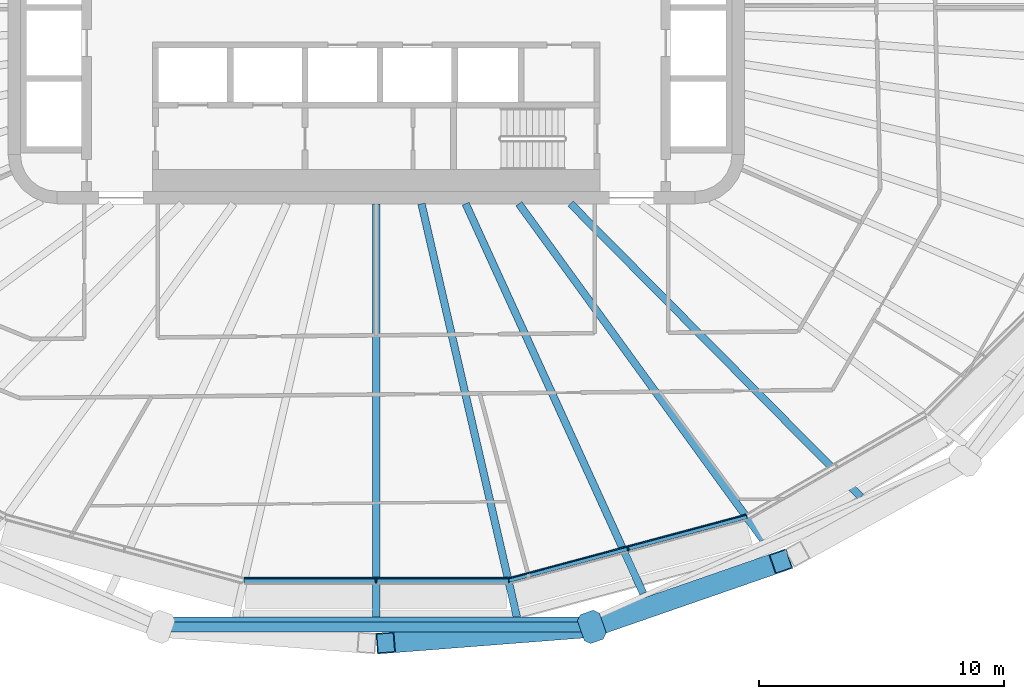
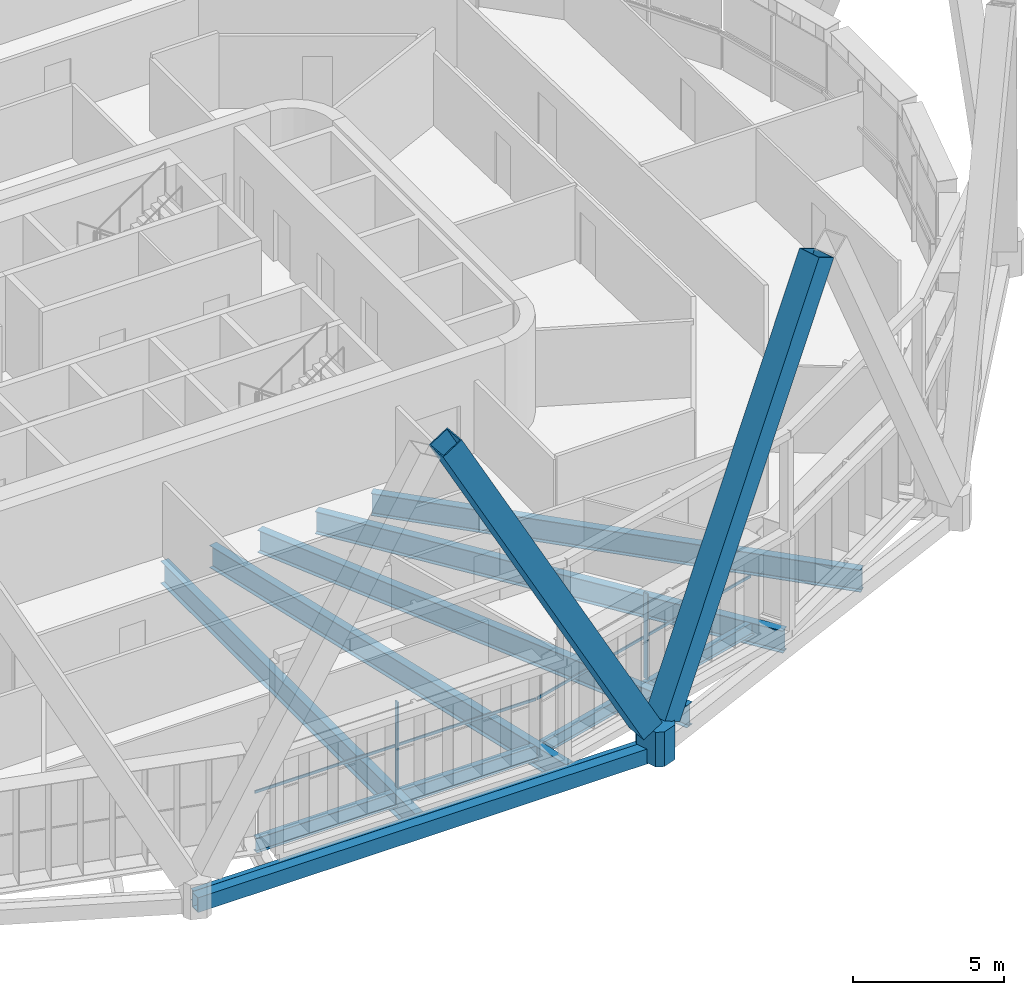
# One storey, part 4 of 25: 9 beams, 7 members, 2 elements without a shape of their own.
"""IFC4 building model written with IfcOpenShell, lengths in metres."""

from ifc_helpers import new_model, si_unit, direction, frame, origin, origin_2d, place, context, subcontext, project, spatial, polyline, rectangle, hollow_rectangle, i_section, outline, extrude, material, layer, layer_set, material_profile, profile_set, type_object, element, aggregate, save


model = new_model("IFC4")

# Units and contexts
model_context = context("Model", 3, precision=1e-05, world=origin(), true_north=direction((0.0, 1.0)))
body_context = subcontext(model_context, "Body", "Model", "MODEL_VIEW")
ifc_project = project(units=[si_unit("LENGTHUNIT", "METRE"), si_unit("AREAUNIT", "SQUARE_METRE"), si_unit("VOLUMEUNIT", "CUBIC_METRE"), si_unit("PLANEANGLEUNIT", "RADIAN"), si_unit("MASSUNIT", "GRAM", prefix="KILO")], contexts=[model_context])

# Site, building, storey
site_placement = place(None, origin())
site = spatial("IfcSite", under=ifc_project, at=site_placement, CompositionType="ELEMENT")
building_placement = place(site_placement, origin())
building = spatial("IfcBuilding", under=site, at=building_placement, Name="Sahrelin Media Tower", CompositionType="ELEMENT")
storey_placement = place(building_placement, frame((0.0, 0.0, 165.60009765625)))
storey = spatial("IfcBuildingStorey", under=building, at=storey_placement, Name="L34", CompositionType="ELEMENT", Elevation=165.60009765625)

# Members
ifc_material_1 = material(Name="Steel S460", Category="steel")
ifc_material_profile_1 = material_profile(ifc_material_1, hollow_rectangle(XDim=0.85009765625, YDim=0.85009765625, WallThickness=0.044921875, at=origin_2d()), Name="Diagrid diagonal DG4")
ifc_profile_set_1 = profile_set([ifc_material_profile_1], Name="Steel S460")
member_type_1 = type_object("IfcMemberType", Name="Diagrid diagonal DG4", PredefinedType="BRACE", material=ifc_profile_set_1)
member_1_placement = place(storey_placement, frame((8.40283203125, -25.27197265625, 0.699951171875), z_axis=(-0.481047433854, -0.037364187308, 0.875897987148), x_axis=(0.077439317921, -0.996997067217, 0.0)))
element("IfcMember", 1, at=member_1_placement, inside=storey, type_object=member_type_1, Name="Diagrid diagonal D07-18", PredefinedType="BRACE", context=body_context, shape_type="SweptSolid", body=[
    extrude(hollow_rectangle(XDim=0.85009765625, YDim=0.85009765625, WallThickness=0.044921875, at=origin_2d()), origin(), (0.0, 0.0, 1.0), 16.66845703125),
])
member_2_placement = place(storey_placement, frame((9.1396484375, -25.119873046875, 0.699951171875), z_axis=(0.444249125914, 0.153932373784, 0.882580046469), x_axis=(-0.327402724383, 0.944884890379, 0.0)))
element("IfcMember", 2, at=member_2_placement, inside=storey, type_object=member_type_1, Name="Diagrid diagonal D07-19", PredefinedType="BRACE", context=body_context, shape_type="SweptSolid", body=[
    extrude(hollow_rectangle(XDim=0.85009765625, YDim=0.85009765625, WallThickness=0.044921875, at=origin_2d()), origin(), (0.0, 0.0, 1.0), 16.542236328125),
])
ifc_material_profile_2 = material_profile(ifc_material_1, outline(polyline([(0.425048828125, -0.47509765625), (0.625, -0.27490234375), (0.625, 0.27490234375), (0.425048828125, 0.47509765625), (-0.425048828125, 0.47509765625), (-0.625, 0.27490234375), (-0.625, -0.27490234375), (-0.425048828125, -0.47509765625), (0.425048828125, -0.47509765625)])), Name="Diagrid node block 1250")
ifc_profile_set_2 = profile_set([ifc_material_profile_2], Name="Steel S460")
member_type_2 = type_object("IfcMemberType", Name="Diagrid node block 1250", PredefinedType="USERDEFINED", material=ifc_profile_set_2)
member_3_placement = place(storey_placement, frame((8.787353515625, -25.241943359375, -0.7001953125), z_axis=(0.0, 0.0, 1.0), x_axis=(0.328769398381, -0.944410230085, 0.0)))
element("IfcMember", 3, at=member_3_placement, inside=storey, type_object=member_type_2, Name="Diagrid node N07-09", ObjectType="NODE", PredefinedType="USERDEFINED", context=body_context, shape_type="SweptSolid", body=[
    extrude(outline(polyline([(0.425048828125, -0.47509765625), (0.625, -0.27490234375), (0.625, 0.27490234375), (0.425048828125, 0.47509765625), (-0.425048828125, 0.47509765625), (-0.625, 0.27490234375), (-0.625, -0.27490234375), (-0.425048828125, -0.47509765625), (0.425048828125, -0.47509765625)])), origin(), (0.0, 0.0, 1.0), 1.400146484375),
])

# Beams
ifc_material_profile_3 = material_profile(ifc_material_1, hollow_rectangle(XDim=0.39990234375, YDim=0.60009765625, WallThickness=0.030029296875, at=origin_2d()), Name="Diagrid ring beam RB1")
ifc_profile_set_3 = profile_set([ifc_material_profile_3], Name="Steel S460")
beam_type_1 = type_object("IfcBeamType", Name="Diagrid ring beam RB1", PredefinedType="BEAM", material=ifc_profile_set_3)
beam_1_placement = place(storey_placement, frame((-8.787353515625, -25.241943359375, -0.4501953125), z_axis=(1.0, 0.0, 0.0), x_axis=(0.0, 1.0, 0.0)))
element("IfcBeam", 4, at=beam_1_placement, inside=storey, type_object=beam_type_1, Name="Diagrid ring beam RB07-08", PredefinedType="BEAM", context=body_context, shape_type="SweptSolid", body=[
    extrude(hollow_rectangle(XDim=0.39990234375, YDim=0.60009765625, WallThickness=0.030029296875, at=origin_2d()), origin(), (0.0, 0.0, 1.0), 17.57470703125),
])
ifc_material_2 = material(Name="Steel S355", Category="steel")
ifc_material_profile_4 = material_profile(ifc_material_2, i_section(OverallWidth=0.208740234375, OverallDepth=0.5283203125, WebThickness=0.009521484375, FlangeThickness=0.01318359375, FilletRadius=0.0126953125, at=origin_2d()), Name="UB 533x210x82")
ifc_profile_set_4 = profile_set([ifc_material_profile_4], Name="Steel S355")
beam_type_2 = type_object("IfcBeamType", Name="Edge beam EB6", PredefinedType="BEAM", material=ifc_profile_set_4)
beam_2_placement = place(storey_placement, frame((15.09228515625, -20.73291015625, -0.414306640625), z_axis=(-0.965927393015, -0.258813197932, 0.0), x_axis=(0.258813197932, -0.965927393015, 0.0)))
element("IfcBeam", 5, at=beam_2_placement, inside=storey, type_object=beam_type_2, Name="Edge beam L34-06", PredefinedType="BEAM", context=body_context, shape_type="SweptSolid", body=[
    extrude(i_section(OverallWidth=0.208740234375, OverallDepth=0.5283203125, WebThickness=0.009521484375, FlangeThickness=0.01318359375, FilletRadius=0.0126953125, at=origin_2d()), origin(), (0.0, 0.0, 1.0), 10.022705078125),
])
ifc_material_profile_5 = material_profile(ifc_material_2, i_section(OverallWidth=0.2275390625, OverallDepth=0.6025390625, WebThickness=0.010498046875, FlangeThickness=0.014892578125, FilletRadius=0.0126953125, at=origin_2d()), Name="UB 610x229x101")
ifc_profile_set_5 = profile_set([ifc_material_profile_5], Name="Steel S355")
beam_type_3 = type_object("IfcBeamType", Name="Edge beam EB7", PredefinedType="BEAM", material=ifc_profile_set_5)
beam_3_placement = place(storey_placement, frame((5.382568359375, -23.33056640625, -0.451416015625), z_axis=(-1.0, 0.0, 0.0), x_axis=(0.0, -1.0, 0.0)))
element("IfcBeam", 6, at=beam_3_placement, inside=storey, type_object=beam_type_3, Name="Edge beam L34-07", PredefinedType="BEAM", context=body_context, shape_type="SweptSolid", body=[
    extrude(i_section(OverallWidth=0.2275390625, OverallDepth=0.6025390625, WebThickness=0.010498046875, FlangeThickness=0.014892578125, FilletRadius=0.0126953125, at=origin_2d()), origin(), (0.0, 0.0, 1.0), 10.76513671875),
])

# Curtain wall, member
ifc_material_3 = material(Name="Champagne anodised aluminium 6063-T6", Category="aluminium")
ifc_layer = layer(ifc_material_3, 0.14990234375)
ifc_layer_set = layer_set([ifc_layer], Name="Tower ribbon curtain wall")
curtain_wall_type = type_object("IfcCurtainWallType", Name="Tower ribbon curtain wall", PredefinedType="NOTDEFINED", material=ifc_layer_set)
curtain_wall_1_placement = place(storey_placement, frame((0.0, -23.480712890625, 0.0), z_axis=(0.0, 0.0, 1.0), x_axis=(1.0, 0.0, 0.0)))
curtain_wall_1 = element("IfcCurtainWall", 7, at=curtain_wall_1_placement, inside=storey, type_object=curtain_wall_type, Name="L34:CW:L34-18", PredefinedType="NOTDEFINED")
ifc_material_profile_6 = material_profile(ifc_material_3, rectangle(XDim=0.06005859375, YDim=0.175048828125, at=origin_2d()), Name="Mullion 60x175")
ifc_profile_set_6 = profile_set([ifc_material_profile_6], Name="Champagne anodised aluminium 6063-T6")
member_type_3 = type_object("IfcMemberType", Name="Mullion 60x175 CW1B", PredefinedType="MULLION", material=ifc_profile_set_6)
member_4_placement = place(storey_placement, frame((0.0, -23.373046875, 0.0), z_axis=(0.0, 0.0, 1.0), x_axis=(1.0, 0.0, 0.0)))
member_4 = element("IfcMember", 8, at=member_4_placement, type_object=member_type_3, Name="L34:CWM:L34-18", PredefinedType="MULLION", context=body_context, shape_type="SweptSolid", body=[
    extrude(rectangle(XDim=0.06005859375, YDim=0.175048828125, at=origin_2d()), origin(), (0.0, 0.0, 1.0), 3.448486328125),
])

curtain_wall_2_placement = place(storey_placement, frame((10.29052734375, -22.1748046875, 0.0), z_axis=(0.0, 0.0, 1.0), x_axis=(1.0, 0.0, 0.0)))
curtain_wall_2 = element("IfcCurtainWall", 9, at=curtain_wall_2_placement, inside=storey, type_object=curtain_wall_type, Name="L34:CW:L34-19", PredefinedType="NOTDEFINED")
member_5_placement = place(storey_placement, frame((10.2626953125, -22.07080078125, 0.0), z_axis=(0.0, 0.0, 1.0), x_axis=(0.965925826289, 0.258819045103, 0.0)))
member_5 = element("IfcMember", 10, at=member_5_placement, type_object=member_type_3, Name="L34:CWM:L34-19", PredefinedType="MULLION", context=body_context, shape_type="SweptSolid", body=[
    extrude(rectangle(XDim=0.06005859375, YDim=0.175048828125, at=origin_2d()), origin(), (0.0, 0.0, 1.0), 3.448486328125),
])

# Beams
ifc_material_profile_7 = material_profile(ifc_material_2, i_section(OverallWidth=0.30322265625, OverallDepth=0.903076171875, WebThickness=0.01513671875, FlangeThickness=0.020263671875, FilletRadius=0.01904296875, at=origin_2d()), Name="UB 914x305x201")
ifc_profile_set_7 = profile_set([ifc_material_profile_7], Name="Steel S355")
beam_type_4 = type_object("IfcBeamType", Name="Radial primary beam PB11", PredefinedType="BEAM", material=ifc_profile_set_7)
beam_4_placement = place(storey_placement, frame((1.845458984375, -8.0, -0.6015625), z_axis=(0.224792471001, -0.974406663042, 0.0), x_axis=(0.974406663042, 0.224792471001, 0.0)))
element("IfcBeam", 11, at=beam_4_placement, inside=storey, type_object=beam_type_4, Name="Radial beam L34-19", PredefinedType="BEAM", context=body_context, shape_type="SweptSolid", body=[
    extrude(i_section(OverallWidth=0.30322265625, OverallDepth=0.903076171875, WebThickness=0.01513671875, FlangeThickness=0.020263671875, FilletRadius=0.01904296875, at=origin_2d()), origin(), (0.0, 0.0, 1.0), 17.2890625),
])
beam_5_placement = place(storey_placement, frame((5.813232421875, -8.0, -0.6015625), z_axis=(0.587842616911, -0.808975313432, 0.0), x_axis=(0.808975313432, 0.587842616911, 0.0)))
element("IfcBeam", 12, at=beam_5_placement, inside=storey, type_object=beam_type_4, Name="Radial beam L34-20", PredefinedType="BEAM", context=body_context, shape_type="SweptSolid", body=[
    extrude(i_section(OverallWidth=0.30322265625, OverallDepth=0.903076171875, WebThickness=0.01513671875, FlangeThickness=0.020263671875, FilletRadius=0.01904296875, at=origin_2d()), origin(), (0.0, 0.0, 1.0), 16.941650390625),
])
ifc_material_profile_8 = material_profile(ifc_material_2, i_section(OverallWidth=0.30322265625, OverallDepth=0.903076171875, WebThickness=0.01513671875, FlangeThickness=0.020263671875, FilletRadius=0.01904296875, at=origin_2d()), Name="UB 914x305x201")
ifc_profile_set_8 = profile_set([ifc_material_profile_8], Name="Steel S355")
beam_type_5 = type_object("IfcBeamType", Name="Radial secondary beam SB11", PredefinedType="BEAM", material=ifc_profile_set_8)
beam_6_placement = place(storey_placement, frame((0.0, -8.0, -0.6015625), z_axis=(0.0, -1.0, 0.0), x_axis=(1.0, 0.0, 0.0)))
element("IfcBeam", 13, at=beam_6_placement, inside=storey, type_object=beam_type_5, Name="Secondary beam L34-18", PredefinedType="BEAM", context=body_context, shape_type="SweptSolid", body=[
    extrude(i_section(OverallWidth=0.30322265625, OverallDepth=0.903076171875, WebThickness=0.01513671875, FlangeThickness=0.020263671875, FilletRadius=0.01904296875, at=origin_2d()), origin(), (0.0, 0.0, 1.0), 16.8466796875),
])
beam_7_placement = place(storey_placement, frame((3.645263671875, -8.0, -0.6015625), z_axis=(0.414653440066, -0.909979408911, 0.0), x_axis=(0.909979408911, 0.414653440066, 0.0)))
element("IfcBeam", 14, at=beam_7_placement, inside=storey, type_object=beam_type_5, Name="Secondary beam L34-19", PredefinedType="BEAM", context=body_context, shape_type="SweptSolid", body=[
    extrude(i_section(OverallWidth=0.30322265625, OverallDepth=0.903076171875, WebThickness=0.01513671875, FlangeThickness=0.020263671875, FilletRadius=0.01904296875, at=origin_2d()), origin(), (0.0, 0.0, 1.0), 17.44970703125),
])
beam_8_placement = place(storey_placement, frame((7.922119140625, -8.0, -0.6015625), z_axis=(0.703633012288, -0.710563567894, 0.0), x_axis=(0.710563567894, 0.703633012288, 0.0)))
element("IfcBeam", 15, at=beam_8_placement, inside=storey, type_object=beam_type_5, Name="Secondary beam L34-20", PredefinedType="BEAM", context=body_context, shape_type="SweptSolid", body=[
    extrude(i_section(OverallWidth=0.30322265625, OverallDepth=0.903076171875, WebThickness=0.01513671875, FlangeThickness=0.020263671875, FilletRadius=0.01904296875, at=origin_2d()), origin(), (0.0, 0.0, 1.0), 16.80322265625),
])
ifc_material_profile_9 = material_profile(ifc_material_2, i_section(OverallWidth=0.1904296875, OverallDepth=0.45703125, WebThickness=0.009033203125, FlangeThickness=0.014404296875, FilletRadius=0.01025390625, at=origin_2d()), Name="UB 457x191x74")
ifc_profile_set_9 = profile_set([ifc_material_profile_9], Name="Steel S355")
beam_type_6 = type_object("IfcBeamType", Name="Tie chord TC5", PredefinedType="BEAM", material=ifc_profile_set_9)
beam_9_placement = place(storey_placement, frame((8.7236328125, -24.94189453125, -0.378662109375), z_axis=(-1.0, 0.0, 0.0), x_axis=(0.0, -1.0, 0.0)))
element("IfcBeam", 16, at=beam_9_placement, inside=storey, type_object=beam_type_6, Name="Tie chord L34-04", PredefinedType="BEAM", context=body_context, shape_type="SweptSolid", body=[
    extrude(i_section(OverallWidth=0.1904296875, OverallDepth=0.45703125, WebThickness=0.009033203125, FlangeThickness=0.014404296875, FilletRadius=0.01025390625, at=origin_2d()), origin(), (0.0, 0.0, 1.0), 17.447265625),
])

# Member
ifc_material_profile_10 = material_profile(ifc_material_3, rectangle(XDim=0.050048828125, YDim=0.110107421875, at=origin_2d()), Name="Transom 50x110")
ifc_profile_set_10 = profile_set([ifc_material_profile_10], Name="Champagne anodised aluminium 6063-T6")
member_type_4 = type_object("IfcMemberType", Name="Transom 50x110 CW1B", PredefinedType="USERDEFINED", material=ifc_profile_set_10)
member_6_placement = place(storey_placement, frame((-5.36669921875, -23.260498046875, 1.599853515625), z_axis=(1.0, 0.0, 0.0), x_axis=(0.0, 1.0, 0.0)))
member_6 = element("IfcMember", 17, at=member_6_placement, type_object=member_type_4, Name="L34:CWT:L34-18", ObjectType="TRANSOM", PredefinedType="USERDEFINED", context=body_context, shape_type="SweptSolid", body=[
    extrude(rectangle(XDim=0.050048828125, YDim=0.110107421875, at=origin_2d()), origin(), (0.0, 0.0, 1.0), 10.7333984375),
])

aggregate(curtain_wall_1, [member_4, member_6])

member_7_placement = place(storey_placement, frame((5.408203125, -23.255126953125, 1.599853515625), z_axis=(0.965926019186, 0.258818325201, 0.0), x_axis=(-0.258818325201, 0.965926019186, 0.0)))
member_7 = element("IfcMember", 18, at=member_7_placement, type_object=member_type_4, Name="L34:CWT:L34-19", ObjectType="TRANSOM", PredefinedType="USERDEFINED", context=body_context, shape_type="SweptSolid", body=[
    extrude(rectangle(XDim=0.050048828125, YDim=0.110107421875, at=origin_2d()), origin(), (0.0, 0.0, 1.0), 9.9912109375),
])

aggregate(curtain_wall_2, [member_5, member_7])

save(model, "model.ifc")
